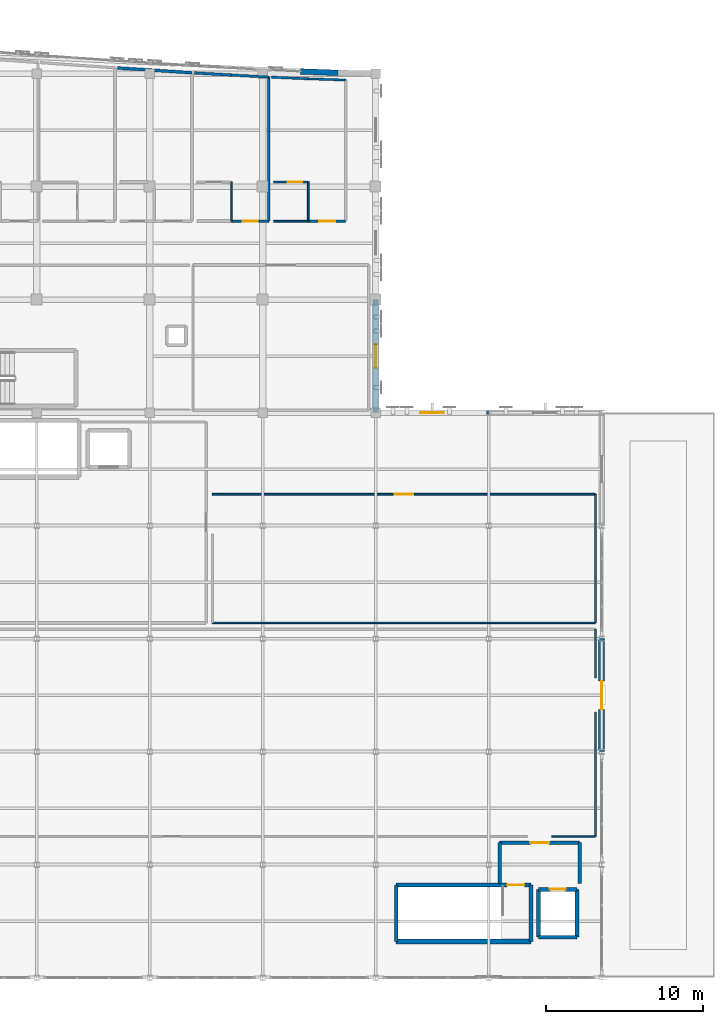
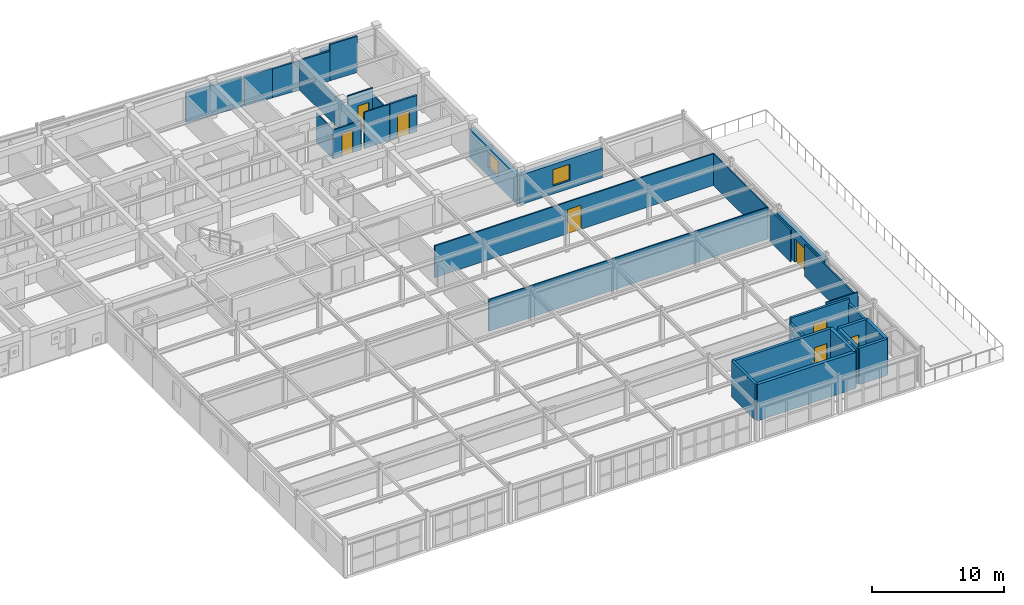
# One storey, part 66 of 73: 33 walls, 8 doors, 2 windows, 10 openings.
"""IFC4 building model written with IfcOpenShell, lengths in metres."""

from ifc_helpers import new_model, si_unit, direction, frame, frame_2d, origin, place, context, subcontext, project, spatial, rectangle, extrude, material, layer, layer_set, type_object, element, fill, save


model = new_model("IFC4")

# Units and contexts
model_context = context("Model", 3, precision=1e-05, world=origin(), true_north=direction((0.0, 1.0)))
body_context = subcontext(model_context, "Body", "Model", "MODEL_VIEW")
ifc_project = project(units=[si_unit("LENGTHUNIT", "METRE"), si_unit("AREAUNIT", "SQUARE_METRE"), si_unit("VOLUMEUNIT", "CUBIC_METRE"), si_unit("PLANEANGLEUNIT", "RADIAN"), si_unit("MASSUNIT", "GRAM", prefix="KILO")], contexts=[model_context])

# Site, building, storey
site_placement = place(None, origin())
site = spatial("IfcSite", under=ifc_project, at=site_placement, CompositionType="ELEMENT")
building_placement = place(site_placement, origin())
building = spatial("IfcBuilding", under=site, at=building_placement, Name="Carrowvane Square Congress Hotel", CompositionType="ELEMENT")
storey_placement = place(building_placement, frame((0.0, 0.0, 19.199951171875)))
storey = spatial("IfcBuildingStorey", under=building, at=storey_placement, Name="L04", CompositionType="ELEMENT", Elevation=19.199951171875)

# Wall, opening, door
ifc_material_1 = material(Name="Portland limestone cladding", Category="masonry")
ifc_layer_1 = layer(ifc_material_1, 0.3798828125)
ifc_layer_set_1 = layer_set([ifc_layer_1], Name="Portland limestone cladding")
wall_type_1 = type_object("IfcWallType", Name="WL-EXT-LS380", PredefinedType="STANDARD", material=ifc_layer_set_1)
wall_1_placement = place(storey_placement, frame((177.199951171875, 77.39990234375, 0.0), z_axis=(0.0, 0.0, 1.0), x_axis=(0.0, -1.0, 0.0)))
wall_1 = element("IfcWall", 1, at=wall_1_placement, inside=storey, type_object=wall_type_1, Name="L04 terrace access wall 432", PredefinedType="STANDARD", context=body_context, shape_type="SweptSolid", body=[
    extrude(rectangle(XDim=7.199951171875, YDim=0.3798828125, at=frame_2d((3.60009765625, 0.0))), origin(), (0.0, 0.0, 1.0), 2.925537109375),
])
opening_1_placement = place(wall_1_placement, frame((2.699951171875, 0.0, 0.0)))
opening_1 = element("IfcOpeningElement", 2, at=opening_1_placement, cuts=wall_1, Name="Opening TD-1", PredefinedType="OPENING", context=body_context, shape_type="SweptSolid", body=[
    extrude(rectangle(XDim=1.800048828125, YDim=2.14990234375, at=frame_2d((0.89990234375, 1.074951171875))), frame((0.0, 0.199951171875, 0.0), z_axis=(0.0, -1.0, 0.0), x_axis=(1.0, 0.0, 0.0)), (0.0, 0.0, 1.0), 0.39990234375),
])
ifc_material_2 = material(Name="Anodised aluminium", Category="aluminium")
door_type_1 = type_object("IfcDoorType", Name="DR-TER-1800", OperationType="DOUBLE_DOOR_SINGLE_SWING", PredefinedType="DOOR", material=ifc_material_2)
door_1_placement = place(opening_1_placement, origin())
door_1 = element("IfcDoor", 3, at=door_1_placement, inside=storey, type_object=door_type_1, Name="L04 terrace access door to TER-V3-L04", OperationType="DOUBLE_DOOR_SINGLE_SWING", OverallHeight=2.14990234375, OverallWidth=1.800048828125, PredefinedType="DOOR", context=body_context, shape_type="SweptSolid", body=[
    extrude(rectangle(XDim=1.800048828125, YDim=2.14990234375, at=frame_2d((0.89990234375, 1.074951171875))), frame((0.0, 0.02490234375, 0.0), z_axis=(0.0, -1.0, 0.0), x_axis=(1.0, 0.0, 0.0)), (0.0, 0.0, 1.0), 0.050048828125),
])
fill(opening_1, door_1)

# Wall
ifc_material_3 = material(Name="Glazed terracotta rainscreen", Category="masonry")
ifc_layer_2 = layer(ifc_material_3, 0.360107421875)
ifc_layer_set_2 = layer_set([ifc_layer_2], Name="Glazed terracotta rainscreen")
wall_type_2 = type_object("IfcWallType", Name="WL-EXT-TC360", PredefinedType="STANDARD", material=ifc_layer_set_2)
wall_2_placement = place(storey_placement, frame((158.0, 113.541015625, 0.0), z_axis=(0.0, 0.0, 1.0), x_axis=(0.99930757318, -0.037207179225, 0.0)))
element("IfcWall", 4, at=wall_2_placement, inside=storey, type_object=wall_type_2, Name="L04 exterior facade wall 424", PredefinedType="STANDARD", context=body_context, shape_type="SweptSolid", body=[
    extrude(rectangle(XDim=2.401611328125, YDim=0.360107421875, at=frame_2d((1.20068359375, 0.0))), origin(), (0.0, 0.0, 1.0), 2.735107421875),
])

# Wall, opening, window
wall_3_placement = place(storey_placement, frame((162.800048828125, 99.0, 0.0), z_axis=(0.0, 0.0, 1.0), x_axis=(0.0, -1.0, 0.0)))
wall_3 = element("IfcWall", 5, at=wall_3_placement, inside=storey, type_object=wall_type_2, Name="L04 exterior facade wall 428", PredefinedType="STANDARD", context=body_context, shape_type="SweptSolid", body=[
    extrude(rectangle(XDim=7.199951171875, YDim=0.360107421875, at=frame_2d((3.60009765625, 0.0))), origin(), (0.0, 0.0, 1.0), 2.68505859375),
])
opening_2_placement = place(wall_3_placement, frame((2.85009765625, 0.0, 0.75)))
opening_2 = element("IfcOpeningElement", 6, at=opening_2_placement, cuts=wall_3, Name="Opening W-15", PredefinedType="OPENING", context=body_context, shape_type="SweptSolid", body=[
    extrude(rectangle(XDim=1.5, YDim=1.5, at=frame_2d((0.75, 0.75))), frame((0.0, 0.18994140625, 0.0), z_axis=(0.0, -1.0, 0.0), x_axis=(1.0, 0.0, 0.0)), (0.0, 0.0, 1.0), 0.380126953125),
])
ifc_material_4 = material(Name="Double-glazed low-E glass", Category="glass")
window_type = type_object("IfcWindowType", Name="WIN-15", PartitioningType="SINGLE_PANEL", PredefinedType="WINDOW", material=ifc_material_4)
window_1_placement = place(opening_2_placement, origin())
window_1 = element("IfcWindow", 7, at=window_1_placement, inside=storey, type_object=window_type, Name="L04 facade window 256", OverallHeight=1.5, OverallWidth=1.5, PartitioningType="SINGLE_PANEL", PredefinedType="WINDOW", context=body_context, shape_type="SweptSolid", body=[
    extrude(rectangle(XDim=1.5, YDim=1.5, at=frame_2d((0.75, 0.75))), frame((0.0, 0.030029296875, 0.0), z_axis=(0.0, -1.0, 0.0), x_axis=(1.0, 0.0, 0.0)), (0.0, 0.0, 1.0), 0.06005859375),
])
fill(opening_2, window_1)

wall_4_placement = place(storey_placement, frame((162.800048828125, 91.800048828125, 0.0), z_axis=(0.0, 0.0, 1.0), x_axis=(1.0, 0.0, 0.0)))
wall_4 = element("IfcWall", 8, at=wall_4_placement, inside=storey, type_object=wall_type_2, Name="L04 exterior facade wall 429", PredefinedType="STANDARD", context=body_context, shape_type="SweptSolid", body=[
    extrude(rectangle(XDim=7.199951171875, YDim=0.360107421875, at=frame_2d((3.60009765625, 0.0))), origin(), (0.0, 0.0, 1.0), 2.735107421875),
])
opening_3_placement = place(wall_4_placement, frame((2.85009765625, 0.0, 0.75)))
opening_3 = element("IfcOpeningElement", 9, at=opening_3_placement, cuts=wall_4, Name="Opening W-15", PredefinedType="OPENING", context=body_context, shape_type="SweptSolid", body=[
    extrude(rectangle(XDim=1.5, YDim=1.5, at=frame_2d((0.75, 0.75))), frame((0.0, 0.18994140625, 0.0), z_axis=(0.0, -1.0, 0.0), x_axis=(1.0, 0.0, 0.0)), (0.0, 0.0, 1.0), 0.380126953125),
])
window_2_placement = place(opening_3_placement, origin())
window_2 = element("IfcWindow", 10, at=window_2_placement, inside=storey, type_object=window_type, Name="L04 facade window 257", OverallHeight=1.5, OverallWidth=1.5, PartitioningType="SINGLE_PANEL", PredefinedType="WINDOW", context=body_context, shape_type="SweptSolid", body=[
    extrude(rectangle(XDim=1.5, YDim=1.5, at=frame_2d((0.75, 0.75))), frame((0.0, 0.030029296875, 0.0), z_axis=(0.0, -1.0, 0.0), x_axis=(1.0, 0.0, 0.0)), (0.0, 0.0, 1.0), 0.06005859375),
])
fill(opening_3, window_2)

# Walls
ifc_material_5 = material(Name="Acoustic gypsum board", Category="gypsum")
ifc_layer_3 = layer(ifc_material_5, 0.155029296875)
ifc_layer_set_3 = layer_set([ifc_layer_3], Name="Acoustic gypsum board")
wall_type_3 = type_object("IfcWallType", Name="WL-FIR-155", PredefinedType="PARTITIONING", material=ifc_layer_set_3)
wall_5_placement = place(storey_placement, frame((153.6201171875, 113.308837890625, 0.0), z_axis=(0.0, 0.0, 1.0), x_axis=(0.998628041285, -0.052364445556, 0.0)))
element("IfcWall", 11, at=wall_5_placement, inside=storey, type_object=wall_type_3, Name="L04 Parkview Guest Bedroom 0427 partition", PredefinedType="PARTITIONING", context=body_context, shape_type="SweptSolid", body=[
    extrude(rectangle(XDim=2.373046875, YDim=0.155029296875, at=frame_2d((1.1865234375, 0.0))), origin(), (0.0, 0.0, 1.0), 2.68505859375),
])
ifc_material_6 = material(Name="Acoustic gypsum board", Category="gypsum")
ifc_layer_4 = layer(ifc_material_6, 0.169921875)
ifc_layer_set_4 = layer_set([ifc_layer_4], Name="Acoustic gypsum board")
wall_type_4 = type_object("IfcWallType", Name="WL-FIR-170", PredefinedType="PARTITIONING", material=ifc_layer_set_4)
wall_6_placement = place(storey_placement, frame((151.25, 113.446533203125, 0.0), z_axis=(0.0, 0.0, 1.0), x_axis=(0.998316663257, -0.057998619497, 0.0)))
element("IfcWall", 12, at=wall_6_placement, inside=storey, type_object=wall_type_4, Name="L04 Parkview Guest Bedroom 0427 partition", PredefinedType="PARTITIONING", context=body_context, shape_type="SweptSolid", body=[
    extrude(rectangle(XDim=2.3740234375, YDim=0.169921875, at=frame_2d((1.18701171875, 0.0))), origin(), (0.0, 0.0, 1.0), 2.735107421875),
])

# Wall, opening, door
wall_7_placement = place(storey_placement, frame((160.889892578125, 104.0, 0.0), z_axis=(0.0, 0.0, 1.0), x_axis=(-1.0, 0.0, 0.0)))
wall_7 = element("IfcWall", 13, at=wall_7_placement, inside=storey, type_object=wall_type_4, Name="L04 Parkview Guest Bedroom 0428 partition", PredefinedType="PARTITIONING", context=body_context, shape_type="SweptSolid", body=[
    extrude(rectangle(XDim=2.3798828125, YDim=0.169921875, at=frame_2d((1.18994140625, 0.0))), origin(), (0.0, 0.0, 1.0), 3.35009765625),
])
opening_4_placement = place(wall_7_placement, frame((0.679931640625, 0.0, 0.0)))
opening_4 = element("IfcOpeningElement", 14, at=opening_4_placement, cuts=wall_7, Name="Opening FD-08", PredefinedType="OPENING", context=body_context, shape_type="SweptSolid", body=[
    extrude(rectangle(XDim=1.02001953125, YDim=2.14990234375, at=frame_2d((0.510009765625, 1.074951171875))), frame((0.0, 0.094970703125, 0.0), z_axis=(0.0, -1.0, 0.0), x_axis=(1.0, 0.0, 0.0)), (0.0, 0.0, 1.0), 0.18994140625),
])
ifc_material_7 = material(Name="European oak timber", Category="wood")
door_type_2 = type_object("IfcDoorType", Name="DR-FD30-1020x2150", OperationType="NOTDEFINED", PredefinedType="DOOR", material=ifc_material_7)
door_2_placement = place(opening_4_placement, origin())
door_2 = element("IfcDoor", 15, at=door_2_placement, inside=storey, type_object=door_type_2, Name="L04 Parkview Guest Bedroom 0428 entrance door", OperationType="SINGLE_SWING_RIGHT", OverallHeight=2.14990234375, OverallWidth=1.02001953125, PredefinedType="DOOR", context=body_context, shape_type="SweptSolid", body=[
    extrude(rectangle(XDim=1.02001953125, YDim=2.14990234375, at=frame_2d((0.510009765625, 1.074951171875))), frame((0.0, 0.02490234375, 0.0), z_axis=(0.0, -1.0, 0.0), x_axis=(1.0, 0.0, 0.0)), (0.0, 0.0, 1.0), 0.050048828125),
])
fill(opening_4, door_2)

# Walls
ifc_material_8 = material(Name="Acoustic gypsum board", Category="gypsum")
ifc_layer_5 = layer(ifc_material_8, 0.18505859375)
ifc_layer_set_5 = layer_set([ifc_layer_5], Name="Acoustic gypsum board")
wall_type_5 = type_object("IfcWallType", Name="WL-FIR-185", PredefinedType="PARTITIONING", material=ifc_layer_set_5)
wall_8_placement = place(storey_placement, frame((146.35009765625, 113.76220703125, 0.0), z_axis=(0.0, 0.0, 1.0), x_axis=(0.997920619119, -0.064454929507, 0.0)))
element("IfcWall", 16, at=wall_8_placement, inside=storey, type_object=wall_type_5, Name="L04 Parkview Guest Bedroom 0426 partition", PredefinedType="PARTITIONING", context=body_context, shape_type="SweptSolid", body=[
    extrude(rectangle(XDim=4.749755859375, YDim=0.18505859375, at=frame_2d((2.375, 0.0))), origin(), (0.0, 0.0, 1.0), 2.735107421875),
])
ifc_material_9 = material(Name="Acoustic gypsum board", Category="gypsum")
ifc_layer_6 = layer(ifc_material_9, 0.205078125)
ifc_layer_set_6 = layer_set([ifc_layer_6], Name="Acoustic gypsum board")
wall_type_6 = type_object("IfcWallType", Name="WL-FIR-205", PredefinedType="PARTITIONING", material=ifc_layer_set_6)
wall_9_placement = place(storey_placement, frame((175.800048828125, 61.800048828125, 0.0), z_axis=(0.0, 0.0, 1.0), x_axis=(0.0, 1.0, 0.0)))
element("IfcWall", 17, at=wall_9_placement, inside=storey, type_object=wall_type_6, Name="L04 Firefighting Lobby C4 wall east", PredefinedType="PARTITIONING", context=body_context, shape_type="SweptSolid", body=[
    extrude(rectangle(XDim=2.599853515625, YDim=0.205078125, at=frame_2d((1.2998046875, 0.0))), origin(), (0.0, 0.0, 1.0), 2.925537109375),
])

# Wall, opening, door
wall_10_placement = place(storey_placement, frame((175.800048828125, 64.39990234375, 0.0), z_axis=(0.0, 0.0, 1.0), x_axis=(-1.0, 0.0, 0.0)))
wall_10 = element("IfcWall", 18, at=wall_10_placement, inside=storey, type_object=wall_type_6, Name="L04 Firefighting Lobby C4 wall north", PredefinedType="PARTITIONING", context=body_context, shape_type="SweptSolid", body=[
    extrude(rectangle(XDim=5.10009765625, YDim=0.205078125, at=frame_2d((2.550048828125, 0.0))), origin(), (0.0, 0.0, 1.0), 3.35009765625),
])
opening_5_placement = place(wall_10_placement, frame((1.949951171875, 0.0, 0.0)))
opening_5 = element("IfcOpeningElement", 19, at=opening_5_placement, cuts=wall_10, Name="Opening FD-02", PredefinedType="OPENING", context=body_context, shape_type="SweptSolid", body=[
    extrude(rectangle(XDim=1.199951171875, YDim=2.10009765625, at=frame_2d((0.60009765625, 1.050048828125))), frame((0.0, 0.112548828125, 0.0), z_axis=(0.0, -1.0, 0.0), x_axis=(1.0, 0.0, 0.0)), (0.0, 0.0, 1.0), 0.22509765625),
])
ifc_material_10 = material(Name="European oak timber", Category="wood")
door_type_3 = type_object("IfcDoorType", Name="DR-FD60-1200x2100", OperationType="NOTDEFINED", PredefinedType="DOOR", material=ifc_material_10)
door_3_placement = place(opening_5_placement, origin())
door_3 = element("IfcDoor", 20, at=door_3_placement, inside=storey, type_object=door_type_3, Name="L04 Firefighting Lobby C4 entrance door", OperationType="SINGLE_SWING_LEFT", OverallHeight=2.10009765625, OverallWidth=1.199951171875, PredefinedType="DOOR", context=body_context, shape_type="SweptSolid", body=[
    extrude(rectangle(XDim=1.199951171875, YDim=2.10009765625, at=frame_2d((0.60009765625, 1.050048828125))), frame((0.0, 0.02490234375, 0.0), z_axis=(0.0, -1.0, 0.0), x_axis=(1.0, 0.0, 0.0)), (0.0, 0.0, 1.0), 0.050048828125),
])
fill(opening_5, door_3)

# Walls
wall_11_placement = place(storey_placement, frame((170.699951171875, 64.39990234375, 0.0), z_axis=(0.0, 0.0, 1.0), x_axis=(0.0, -1.0, 0.0)))
element("IfcWall", 21, at=wall_11_placement, inside=storey, type_object=wall_type_6, Name="L04 Firefighting Lobby C4 wall west", PredefinedType="PARTITIONING", context=body_context, shape_type="SweptSolid", body=[
    extrude(rectangle(XDim=2.599853515625, YDim=0.205078125, at=frame_2d((1.2998046875, 0.0))), origin(), (0.0, 0.0, 1.0), 2.925537109375),
])
ifc_material_11 = material(Name="Acoustic gypsum board", Category="gypsum")
ifc_layer_7 = layer(ifc_material_11, 0.097900390625)
ifc_layer_set_7 = layer_set([ifc_layer_7], Name="Acoustic gypsum board")
wall_type_7 = type_object("IfcWallType", Name="WL-PRT-098", PredefinedType="PARTITIONING", material=ifc_layer_set_7)
wall_12_placement = place(storey_placement, frame((153.60009765625, 106.5, 0.0), z_axis=(0.0, 0.0, 1.0), x_axis=(0.0, -1.0, 0.0)))
element("IfcWall", 22, at=wall_12_placement, inside=storey, type_object=wall_type_7, Name="L04 En-suite Bathroom 0427 partition", PredefinedType="PARTITIONING", context=body_context, shape_type="SweptSolid", body=[
    extrude(rectangle(XDim=2.5, YDim=0.097900390625, at=frame_2d((1.25, 0.0))), origin(), (0.0, 0.0, 1.0), 2.735107421875),
])
wall_13_placement = place(storey_placement, frame((176.800048828125, 78.39990234375, 0.0), z_axis=(0.0, 0.0, 1.0), x_axis=(-1.0, 0.0, 0.0)))
element("IfcWall", 23, at=wall_13_placement, inside=storey, type_object=wall_type_7, Name="L04 Sky Bar Public and Accessible Toilets partition", PredefinedType="PARTITIONING", context=body_context, shape_type="SweptSolid", body=[
    extrude(rectangle(XDim=24.400146484375, YDim=0.097900390625, at=frame_2d((12.2001953125, 0.0))), origin(), (0.0, 0.0, 1.0), 2.925537109375),
])
ifc_material_12 = material(Name="Acoustic gypsum board", Category="gypsum")
ifc_layer_8 = layer(ifc_material_12, 0.10791015625)
ifc_layer_set_8 = layer_set([ifc_layer_8], Name="Acoustic gypsum board")
wall_type_8 = type_object("IfcWallType", Name="WL-PRT-108", PredefinedType="PARTITIONING", material=ifc_layer_set_8)
wall_14_placement = place(storey_placement, frame((158.5, 104.0, 0.0), z_axis=(0.0, 0.0, 1.0), x_axis=(-1.0, 0.0, 0.0)))
element("IfcWall", 24, at=wall_14_placement, inside=storey, type_object=wall_type_8, Name="L04 En-suite Bathroom 0428 partition", PredefinedType="PARTITIONING", context=body_context, shape_type="SweptSolid", body=[
    extrude(rectangle(XDim=2.199951171875, YDim=0.10791015625, at=frame_2d((1.10009765625, 0.0))), origin(), (0.0, 0.0, 1.0), 3.35009765625),
])
wall_15_placement = place(storey_placement, frame((176.800048828125, 64.800048828125, 0.0), z_axis=(0.0, 0.0, 1.0), x_axis=(-1.0, 0.0, 0.0)))
element("IfcWall", 25, at=wall_15_placement, inside=storey, type_object=wall_type_8, Name="L04 Carrowvane Rooftop Sky Bar and Lounge partition", PredefinedType="PARTITIONING", context=body_context, shape_type="SweptSolid", body=[
    extrude(rectangle(XDim=2.77001953125, YDim=0.10791015625, at=frame_2d((1.385009765625, 0.0))), origin(), (0.0, 0.0, 1.0), 3.35009765625),
])
wall_16_placement = place(storey_placement, frame((176.800048828125, 86.60009765625, 0.0), z_axis=(0.0, 0.0, 1.0), x_axis=(0.0, -1.0, 0.0)))
element("IfcWall", 26, at=wall_16_placement, inside=storey, type_object=wall_type_8, Name="L04 Sky Bar Public and Accessible Toilets partition", PredefinedType="PARTITIONING", context=body_context, shape_type="SweptSolid", body=[
    extrude(rectangle(XDim=8.2001953125, YDim=0.10791015625, at=frame_2d((4.10009765625, 0.0))), origin(), (0.0, 0.0, 1.0), 2.925537109375),
])
ifc_material_13 = material(Name="Acoustic gypsum board", Category="gypsum")
ifc_layer_9 = layer(ifc_material_13, 0.117919921875)
ifc_layer_set_9 = layer_set([ifc_layer_9], Name="Acoustic gypsum board")
wall_type_9 = type_object("IfcWallType", Name="WL-PRT-118", PredefinedType="PARTITIONING", material=ifc_layer_set_9)
wall_17_placement = place(storey_placement, frame((158.5, 106.5, 0.0), z_axis=(0.0, 0.0, 1.0), x_axis=(0.0, -1.0, 0.0)))
element("IfcWall", 27, at=wall_17_placement, inside=storey, type_object=wall_type_9, Name="L04 En-suite Bathroom 0428 partition", PredefinedType="PARTITIONING", context=body_context, shape_type="SweptSolid", body=[
    extrude(rectangle(XDim=2.5, YDim=0.117919921875, at=frame_2d((1.25, 0.0))), origin(), (0.0, 0.0, 1.0), 2.735107421875),
])
wall_18_placement = place(storey_placement, frame((176.800048828125, 72.719970703125, 0.0), z_axis=(0.0, 0.0, 1.0), x_axis=(0.0, -1.0, 0.0)))
element("IfcWall", 28, at=wall_18_placement, inside=storey, type_object=wall_type_9, Name="L04 Carrowvane Rooftop Sky Bar and Lounge partition", PredefinedType="PARTITIONING", context=body_context, shape_type="SweptSolid", body=[
    extrude(rectangle(XDim=7.919921875, YDim=0.117919921875, at=frame_2d((3.9599609375, 0.0))), origin(), (0.0, 0.0, 1.0), 2.925537109375),
])

# Wall, opening, door
wall_19_placement = place(storey_placement, frame((152.39990234375, 86.60009765625, 0.0), z_axis=(0.0, 0.0, 1.0), x_axis=(1.0, 0.0, 0.0)))
wall_19 = element("IfcWall", 29, at=wall_19_placement, inside=storey, type_object=wall_type_9, Name="L04 Sky Bar Public and Accessible Toilets partition", PredefinedType="PARTITIONING", context=body_context, shape_type="SweptSolid", body=[
    extrude(rectangle(XDim=24.400146484375, YDim=0.117919921875, at=frame_2d((12.2001953125, 0.0))), origin(), (0.0, 0.0, 1.0), 2.925537109375),
])
opening_6_placement = place(wall_19_placement, frame((11.610107421875, 0.0, 0.0)))
opening_6 = element("IfcOpeningElement", 30, at=opening_6_placement, cuts=wall_19, Name="Opening ID-23", PredefinedType="OPENING", context=body_context, shape_type="SweptSolid", body=[
    extrude(rectangle(XDim=1.179931640625, YDim=2.219970703125, at=frame_2d((0.58984375, 1.10986328125))), frame((0.0, 0.06884765625, 0.0), z_axis=(0.0, -1.0, 0.0), x_axis=(1.0, 0.0, 0.0)), (0.0, 0.0, 1.0), 0.137939453125),
])
ifc_material_14 = material(Name="European oak timber", Category="wood")
door_type_4 = type_object("IfcDoorType", Name="DR-INT-1180x2220", OperationType="NOTDEFINED", PredefinedType="DOOR", material=ifc_material_14)
door_4_placement = place(opening_6_placement, origin())
door_4 = element("IfcDoor", 31, at=door_4_placement, inside=storey, type_object=door_type_4, Name="L04 Sky Bar Public and Accessible Toilets entrance door", OperationType="SINGLE_SWING_LEFT", OverallHeight=2.219970703125, OverallWidth=1.179931640625, PredefinedType="DOOR", context=body_context, shape_type="SweptSolid", body=[
    extrude(rectangle(XDim=1.179931640625, YDim=2.219970703125, at=frame_2d((0.58984375, 1.10986328125))), frame((0.0, 0.02490234375, 0.0), z_axis=(0.0, -1.0, 0.0), x_axis=(1.0, 0.0, 0.0)), (0.0, 0.0, 1.0), 0.050048828125),
])
fill(opening_6, door_4)

ifc_material_15 = material(Name="Acoustic gypsum board", Category="gypsum")
ifc_layer_10 = layer(ifc_material_15, 0.1279296875)
ifc_layer_set_10 = layer_set([ifc_layer_10], Name="Acoustic gypsum board")
wall_type_10 = type_object("IfcWallType", Name="WL-PRT-128", PredefinedType="PARTITIONING", material=ifc_layer_set_10)
wall_20_placement = place(storey_placement, frame((156.300048828125, 106.5, 0.0), z_axis=(0.0, 0.0, 1.0), x_axis=(1.0, 0.0, 0.0)))
wall_20 = element("IfcWall", 32, at=wall_20_placement, inside=storey, type_object=wall_type_10, Name="L04 En-suite Bathroom 0428 partition", PredefinedType="PARTITIONING", context=body_context, shape_type="SweptSolid", body=[
    extrude(rectangle(XDim=2.199951171875, YDim=0.1279296875, at=frame_2d((1.10009765625, 0.0))), origin(), (0.0, 0.0, 1.0), 3.35009765625),
])
opening_7_placement = place(wall_20_placement, frame((0.8798828125, 0.0, 0.0)))
opening_7 = element("IfcOpeningElement", 33, at=opening_7_placement, cuts=wall_20, Name="Opening ID-04", PredefinedType="OPENING", context=body_context, shape_type="SweptSolid", body=[
    extrude(rectangle(XDim=0.93994140625, YDim=2.1201171875, at=frame_2d((0.469970703125, 1.06005859375))), frame((0.0, 0.073974609375, 0.0), z_axis=(0.0, -1.0, 0.0), x_axis=(1.0, 0.0, 0.0)), (0.0, 0.0, 1.0), 0.14794921875),
])
ifc_material_16 = material(Name="European oak timber", Category="wood")
door_type_5 = type_object("IfcDoorType", Name="DR-INT-0940x2120", OperationType="NOTDEFINED", PredefinedType="DOOR", material=ifc_material_16)
door_5_placement = place(opening_7_placement, origin())
door_5 = element("IfcDoor", 34, at=door_5_placement, inside=storey, type_object=door_type_5, Name="L04 En-suite Bathroom 0428 door", OperationType="SINGLE_SWING_LEFT", OverallHeight=2.1201171875, OverallWidth=0.93994140625, PredefinedType="DOOR", context=body_context, shape_type="SweptSolid", body=[
    extrude(rectangle(XDim=0.93994140625, YDim=2.1201171875, at=frame_2d((0.469970703125, 1.06005859375))), frame((0.0, 0.02490234375, 0.0), z_axis=(0.0, -1.0, 0.0), x_axis=(1.0, 0.0, 0.0)), (0.0, 0.0, 1.0), 0.050048828125),
])
fill(opening_7, door_5)

# Wall
wall_21_placement = place(storey_placement, frame((176.800048828125, 78.0, 0.0), z_axis=(0.0, 0.0, 1.0), x_axis=(0.0, -1.0, 0.0)))
element("IfcWall", 35, at=wall_21_placement, inside=storey, type_object=wall_type_10, Name="L04 Carrowvane Rooftop Sky Bar and Lounge partition", PredefinedType="PARTITIONING", context=body_context, shape_type="SweptSolid", body=[
    extrude(rectangle(XDim=3.1201171875, YDim=0.1279296875, at=frame_2d((1.56005859375, 0.0))), origin(), (0.0, 0.0, 1.0), 2.925537109375),
])

# Wall, opening, door
ifc_material_17 = material(Name="Acoustic gypsum board", Category="gypsum")
ifc_layer_11 = layer(ifc_material_17, 0.137939453125)
ifc_layer_set_11 = layer_set([ifc_layer_11], Name="Acoustic gypsum board")
wall_type_11 = type_object("IfcWallType", Name="WL-PRT-138", PredefinedType="PARTITIONING", material=ifc_layer_set_11)
wall_22_placement = place(storey_placement, frame((155.989990234375, 104.0, 0.0), z_axis=(0.0, 0.0, 1.0), x_axis=(-1.0, 0.0, 0.0)))
wall_22 = element("IfcWall", 36, at=wall_22_placement, inside=storey, type_object=wall_type_11, Name="L04 Parkview Guest Bedroom 0427 partition", PredefinedType="PARTITIONING", context=body_context, shape_type="SweptSolid", body=[
    extrude(rectangle(XDim=2.3798828125, YDim=0.137939453125, at=frame_2d((1.18994140625, 0.0))), origin(), (0.0, 0.0, 1.0), 2.68505859375),
])
opening_8_placement = place(wall_22_placement, frame((0.715087890625, 0.0, 0.0)))
opening_8 = element("IfcOpeningElement", 37, at=opening_8_placement, cuts=wall_22, Name="Opening FD-06", PredefinedType="OPENING", context=body_context, shape_type="SweptSolid", body=[
    extrude(rectangle(XDim=0.949951171875, YDim=2.10009765625, at=frame_2d((0.47509765625, 1.050048828125))), frame((0.0, 0.078857421875, 0.0), z_axis=(0.0, -1.0, 0.0), x_axis=(1.0, 0.0, 0.0)), (0.0, 0.0, 1.0), 0.157958984375),
])
ifc_material_18 = material(Name="European oak timber", Category="wood")
door_type_6 = type_object("IfcDoorType", Name="DR-FD30-0950x2100", OperationType="NOTDEFINED", PredefinedType="DOOR", material=ifc_material_18)
door_6_placement = place(opening_8_placement, origin())
door_6 = element("IfcDoor", 38, at=door_6_placement, inside=storey, type_object=door_type_6, Name="L04 Parkview Guest Bedroom 0427 entrance door", OperationType="SINGLE_SWING_RIGHT", OverallHeight=2.10009765625, OverallWidth=0.949951171875, PredefinedType="DOOR", context=body_context, shape_type="SweptSolid", body=[
    extrude(rectangle(XDim=0.949951171875, YDim=2.10009765625, at=frame_2d((0.47509765625, 1.050048828125))), frame((0.0, 0.02490234375, 0.0), z_axis=(0.0, -1.0, 0.0), x_axis=(1.0, 0.0, 0.0)), (0.0, 0.0, 1.0), 0.050048828125),
])
fill(opening_8, door_6)

# Walls
wall_23_placement = place(storey_placement, frame((158.52001953125, 113.071533203125, 0.0), z_axis=(0.0, 0.0, 1.0), x_axis=(0.999426124388, -0.033873616454, 0.0)))
element("IfcWall", 39, at=wall_23_placement, inside=storey, type_object=wall_type_11, Name="L04 Parkview Guest Bedroom 0428 partition", PredefinedType="PARTITIONING", context=body_context, shape_type="SweptSolid", body=[
    extrude(rectangle(XDim=2.371337890625, YDim=0.137939453125, at=frame_2d((1.185546875, 0.0))), origin(), (0.0, 0.0, 1.0), 3.35009765625),
])
ifc_material_19 = material(Name="Acoustic gypsum board", Category="gypsum")
ifc_layer_12 = layer(ifc_material_19, 0.14794921875)
ifc_layer_set_12 = layer_set([ifc_layer_12], Name="Acoustic gypsum board")
wall_type_12 = type_object("IfcWallType", Name="WL-PRT-148", PredefinedType="PARTITIONING", material=ifc_layer_set_12)
wall_24_placement = place(storey_placement, frame((155.989990234375, 113.1845703125, 0.0), z_axis=(0.0, 0.0, 1.0), x_axis=(0.0, -1.0, 0.0)))
element("IfcWall", 40, at=wall_24_placement, inside=storey, type_object=wall_type_12, Name="L04 Parkview Guest Bedroom 0427 partition", PredefinedType="PARTITIONING", context=body_context, shape_type="SweptSolid", body=[
    extrude(rectangle(XDim=9.1845703125, YDim=0.14794921875, at=frame_2d((4.59228515625, 0.0))), origin(), (0.0, 0.0, 1.0), 2.735107421875),
])
wall_25_placement = place(storey_placement, frame((156.14990234375, 113.17724609375, 0.0), z_axis=(0.0, 0.0, 1.0), x_axis=(0.999006795059, -0.044558090468, 0.0)))
element("IfcWall", 41, at=wall_25_placement, inside=storey, type_object=wall_type_12, Name="L04 Parkview Guest Bedroom 0428 partition", PredefinedType="PARTITIONING", context=body_context, shape_type="SweptSolid", body=[
    extrude(rectangle(XDim=2.37255859375, YDim=0.14794921875, at=frame_2d((1.186279296875, 0.0))), origin(), (0.0, 0.0, 1.0), 2.735107421875),
])
ifc_material_20 = material(Name="Concrete C40/50", Category="concrete")
ifc_layer_13 = layer(ifc_material_20, 0.22509765625)
ifc_layer_set_13 = layer_set([ifc_layer_13], Name="Concrete C40/50")
wall_type_13 = type_object("IfcWallType", Name="WL-SHR-225", PredefinedType="SHEAR", material=ifc_layer_set_13)
wall_26_placement = place(storey_placement, frame((164.10009765625, 61.699951171875, 0.0), z_axis=(0.0, 0.0, 1.0), x_axis=(0.0, -1.0, 0.0)))
element("IfcWall", 42, at=wall_26_placement, inside=storey, type_object=wall_type_13, Name="L04 ST4 core wall west", PredefinedType="SHEAR", context=body_context, shape_type="SweptSolid", body=[
    extrude(rectangle(XDim=3.599853515625, YDim=0.22509765625, at=frame_2d((1.7998046875, 0.0))), origin(), (0.0, 0.0, 1.0), 3.35009765625),
])

# Wall, opening, door
ifc_material_21 = material(Name="Concrete C40/50", Category="concrete")
ifc_layer_14 = layer(ifc_material_21, 0.25)
ifc_layer_set_14 = layer_set([ifc_layer_14], Name="Concrete C40/50")
wall_type_14 = type_object("IfcWallType", Name="WL-SHR-250", PredefinedType="SHEAR", material=ifc_layer_set_14)
wall_27_placement = place(storey_placement, frame((172.699951171875, 61.699951171875, 0.0), z_axis=(0.0, 0.0, 1.0), x_axis=(-1.0, 0.0, 0.0)))
wall_27 = element("IfcWall", 43, at=wall_27_placement, inside=storey, type_object=wall_type_14, Name="L04 ST4 core wall north", PredefinedType="SHEAR", context=body_context, shape_type="SweptSolid", body=[
    extrude(rectangle(XDim=8.599853515625, YDim=0.25, at=frame_2d((4.2998046875, 0.0))), origin(), (0.0, 0.0, 1.0), 3.35009765625),
])
opening_9_placement = place(wall_27_placement, frame((0.425048828125, 0.0, 0.0)))
opening_9 = element("IfcOpeningElement", 44, at=opening_9_placement, cuts=wall_27, Name="Opening FD-01", PredefinedType="OPENING", context=body_context, shape_type="SweptSolid", body=[
    extrude(rectangle(XDim=1.10009765625, YDim=2.10009765625, at=frame_2d((0.550048828125, 1.050048828125))), frame((0.0, 0.135009765625, 0.0), z_axis=(0.0, -1.0, 0.0), x_axis=(1.0, 0.0, 0.0)), (0.0, 0.0, 1.0), 0.27001953125),
])
ifc_material_22 = material(Name="European oak timber", Category="wood")
door_type_7 = type_object("IfcDoorType", Name="DR-FD60-1100x2100", OperationType="NOTDEFINED", PredefinedType="DOOR", material=ifc_material_22)
door_7_placement = place(opening_9_placement, origin())
door_7 = element("IfcDoor", 45, at=door_7_placement, inside=storey, type_object=door_type_7, Name="L04 ST4 fire door", OperationType="SINGLE_SWING_LEFT", OverallHeight=2.10009765625, OverallWidth=1.10009765625, PredefinedType="DOOR", context=body_context, shape_type="SweptSolid", body=[
    extrude(rectangle(XDim=1.10009765625, YDim=2.10009765625, at=frame_2d((0.550048828125, 1.050048828125))), frame((0.0, 0.02490234375, 0.0), z_axis=(0.0, -1.0, 0.0), x_axis=(1.0, 0.0, 0.0)), (0.0, 0.0, 1.0), 0.050048828125),
])
fill(opening_9, door_7)

# Walls
wall_28_placement = place(storey_placement, frame((173.175048828125, 58.375, 0.0), z_axis=(0.0, 0.0, 1.0), x_axis=(1.0, 0.0, 0.0)))
element("IfcWall", 46, at=wall_28_placement, inside=storey, type_object=wall_type_14, Name="L04 FFL-3 shaft wall south", PredefinedType="SHEAR", context=body_context, shape_type="SweptSolid", body=[
    extrude(rectangle(XDim=2.449951171875, YDim=0.25, at=frame_2d((1.22509765625, 0.0))), origin(), (0.0, 0.0, 1.0), 3.35009765625),
])
wall_29_placement = place(storey_placement, frame((175.625, 58.375, 0.0), z_axis=(0.0, 0.0, 1.0), x_axis=(0.0, 1.0, 0.0)))
element("IfcWall", 47, at=wall_29_placement, inside=storey, type_object=wall_type_14, Name="L04 FFL-3 shaft wall east", PredefinedType="SHEAR", context=body_context, shape_type="SweptSolid", body=[
    extrude(rectangle(XDim=3.050048828125, YDim=0.25, at=frame_2d((1.52490234375, 0.0))), origin(), (0.0, 0.0, 1.0), 3.35009765625),
])

# Wall, opening, door
wall_30_placement = place(storey_placement, frame((175.625, 61.425048828125, 0.0), z_axis=(0.0, 0.0, 1.0), x_axis=(-1.0, 0.0, 0.0)))
wall_30 = element("IfcWall", 48, at=wall_30_placement, inside=storey, type_object=wall_type_14, Name="L04 FFL-3 shaft wall north", PredefinedType="SHEAR", context=body_context, shape_type="SweptSolid", body=[
    extrude(rectangle(XDim=2.449951171875, YDim=0.25, at=frame_2d((1.22509765625, 0.0))), origin(), (0.0, 0.0, 1.0), 3.35009765625),
])
opening_10_placement = place(wall_30_placement, frame((0.72509765625, 0.0, 0.0)))
opening_10 = element("IfcOpeningElement", 49, at=opening_10_placement, cuts=wall_30, Name="Opening LD-FFL-3", PredefinedType="OPENING", context=body_context, shape_type="SweptSolid", body=[
    extrude(rectangle(XDim=1.0, YDim=2.14990234375, at=frame_2d((0.5, 1.074951171875))), frame((0.0, 0.135009765625, 0.0), z_axis=(0.0, -1.0, 0.0), x_axis=(1.0, 0.0, 0.0)), (0.0, 0.0, 1.0), 0.27001953125),
])
ifc_material_23 = material(Name="Stainless steel 316", Category="steel")
door_type_8 = type_object("IfcDoorType", Name="DR-LD-1000x2150", OperationType="DOUBLE_DOOR_SLIDING", PredefinedType="DOOR", material=ifc_material_23)
door_8_placement = place(opening_10_placement, origin())
door_8 = element("IfcDoor", 50, at=door_8_placement, inside=storey, type_object=door_type_8, Name="L04 FFL-3 sliding lift landing door", OperationType="DOUBLE_DOOR_SLIDING", OverallHeight=2.14990234375, OverallWidth=1.0, PredefinedType="DOOR", context=body_context, shape_type="SweptSolid", body=[
    extrude(rectangle(XDim=1.0, YDim=2.14990234375, at=frame_2d((0.5, 1.074951171875))), frame((0.0, 0.02490234375, 0.0), z_axis=(0.0, -1.0, 0.0), x_axis=(1.0, 0.0, 0.0)), (0.0, 0.0, 1.0), 0.050048828125),
])
fill(opening_10, door_8)

# Walls
wall_31_placement = place(storey_placement, frame((173.175048828125, 61.425048828125, 0.0), z_axis=(0.0, 0.0, 1.0), x_axis=(0.0, -1.0, 0.0)))
element("IfcWall", 51, at=wall_31_placement, inside=storey, type_object=wall_type_14, Name="L04 FFL-3 shaft wall west", PredefinedType="SHEAR", context=body_context, shape_type="SweptSolid", body=[
    extrude(rectangle(XDim=3.050048828125, YDim=0.25, at=frame_2d((1.52490234375, 0.0))), origin(), (0.0, 0.0, 1.0), 3.35009765625),
])
ifc_material_24 = material(Name="Concrete C40/50", Category="concrete")
ifc_layer_15 = layer(ifc_material_24, 0.27490234375)
ifc_layer_set_15 = layer_set([ifc_layer_15], Name="Concrete C40/50")
wall_type_15 = type_object("IfcWallType", Name="WL-SHR-275", PredefinedType="SHEAR", material=ifc_layer_set_15)
wall_32_placement = place(storey_placement, frame((172.699951171875, 58.10009765625, 0.0), z_axis=(0.0, 0.0, 1.0), x_axis=(0.0, 1.0, 0.0)))
element("IfcWall", 52, at=wall_32_placement, inside=storey, type_object=wall_type_15, Name="L04 ST4 core wall east", PredefinedType="SHEAR", context=body_context, shape_type="SweptSolid", body=[
    extrude(rectangle(XDim=3.599853515625, YDim=0.27490234375, at=frame_2d((1.7998046875, 0.0))), origin(), (0.0, 0.0, 1.0), 3.35009765625),
])
ifc_material_25 = material(Name="Concrete C40/50", Category="concrete")
ifc_layer_16 = layer(ifc_material_25, 0.300048828125)
ifc_layer_set_16 = layer_set([ifc_layer_16], Name="Concrete C40/50")
wall_type_16 = type_object("IfcWallType", Name="WL-SHR-300", PredefinedType="SHEAR", material=ifc_layer_set_16)
wall_33_placement = place(storey_placement, frame((164.10009765625, 58.10009765625, 0.0), z_axis=(0.0, 0.0, 1.0), x_axis=(1.0, 0.0, 0.0)))
element("IfcWall", 53, at=wall_33_placement, inside=storey, type_object=wall_type_16, Name="L04 ST4 core wall south", PredefinedType="SHEAR", context=body_context, shape_type="SweptSolid", body=[
    extrude(rectangle(XDim=8.599853515625, YDim=0.300048828125, at=frame_2d((4.2998046875, 0.0))), origin(), (0.0, 0.0, 1.0), 3.35009765625),
])

save(model, "model.ifc")
